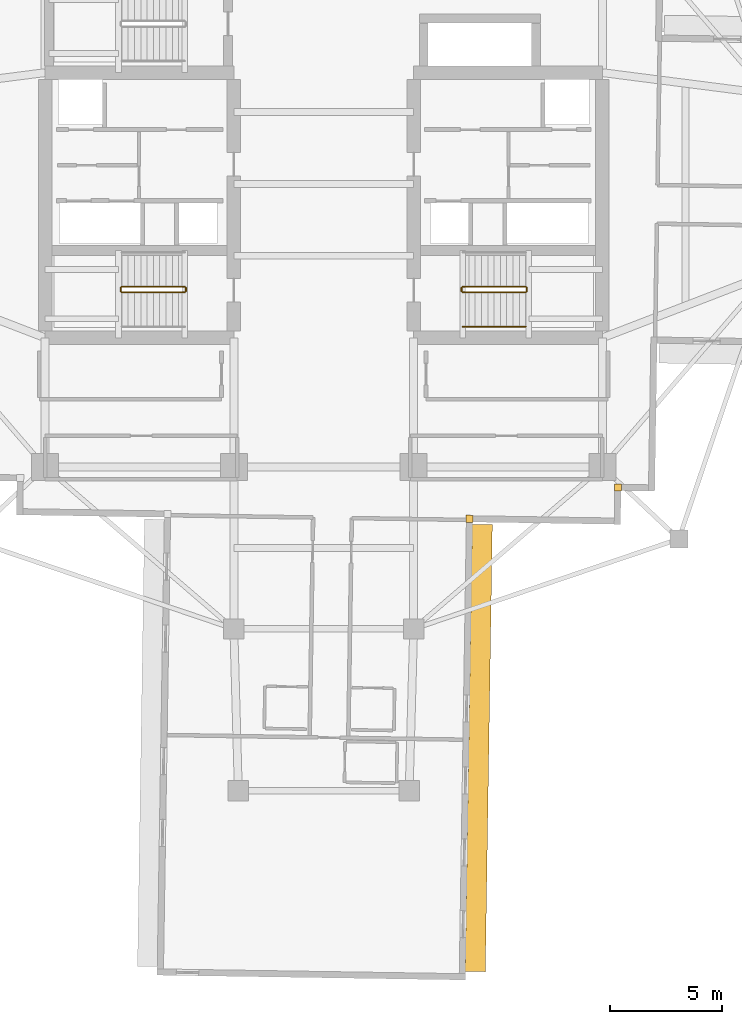
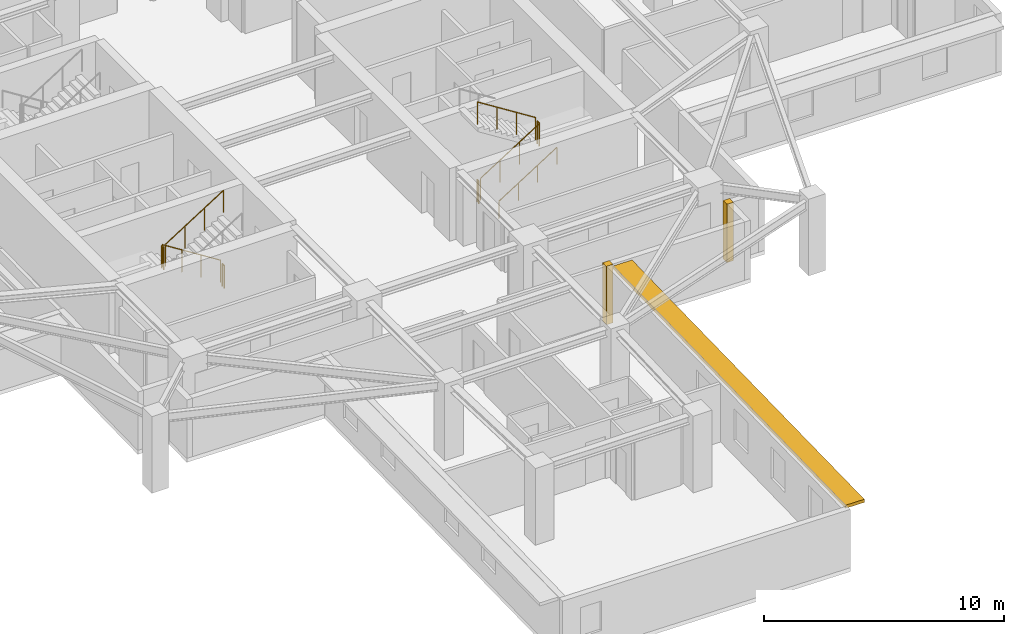
# One storey, part 10 of 13: 9 railings, 2 coverings, 1 shading device.
"""IFC4 building model written with IfcOpenShell, lengths in metres."""

from ifc_helpers import new_model, si_unit, direction, frame, origin, origin_2d, place, context, subcontext, project, spatial, rectangle, circle, extrude, material, layer, layer_set, type_object, element, save


model = new_model("IFC4")

# Units and contexts
model_context = context("Model", 3, precision=1e-05, world=origin(), true_north=direction((0.0, 1.0)))
body_context = subcontext(model_context, "Body", "Model", "MODEL_VIEW")
ifc_project = project(units=[si_unit("LENGTHUNIT", "METRE"), si_unit("AREAUNIT", "SQUARE_METRE"), si_unit("VOLUMEUNIT", "CUBIC_METRE"), si_unit("PLANEANGLEUNIT", "RADIAN"), si_unit("MASSUNIT", "GRAM", prefix="KILO")], contexts=[model_context])

# Site, building, storey
site_placement = place(None, origin())
site = spatial("IfcSite", under=ifc_project, at=site_placement, CompositionType="ELEMENT")
building_placement = place(site_placement, origin())
building = spatial("IfcBuilding", under=site, at=building_placement, Name="Qingluan Cross Belvedere", CompositionType="ELEMENT")
storey_placement = place(building_placement, frame((0.0, 0.0, 180.0)))
storey = spatial("IfcBuildingStorey", under=building, at=storey_placement, Name="L45", CompositionType="ELEMENT", Elevation=180.0)

# Coverings
ifc_material_1 = material(Name="Precast concrete C45", Category="concrete")
ifc_layer_1 = layer(ifc_material_1, 0.1201171875, Name="ConcreteSpandrelCladding_120")
ifc_layer_set_1 = layer_set([ifc_layer_1], Name="Precast concrete C45")
covering_type = type_object("IfcCoveringType", Name="ConcreteSpandrelCladding_120", PredefinedType="CLADDING", material=ifc_layer_set_1)
for number, where, z_axis, x_axis, name in (
    (1, (13.089599609375, -13.50732421875, 0.0), (0.0, 0.0, 1.0), (0.999876632482, -0.015707317312, 0.0), "Corner closure L45-SE1"),
    (2, (6.48681640625, -14.90380859375, 0.0), (0.0, 0.0, 1.0), (0.999876632482, -0.015707317312, 0.0), "Corner closure L45-SE2"),
):
    element("IfcCovering", number, at=place(storey_placement, frame(where, z_axis=z_axis, x_axis=x_axis)), inside=storey, type_object=covering_type, Name=name, PredefinedType="CLADDING", context=body_context, shape_type="SweptSolid", body=[
        extrude(rectangle(XDim=0.320068359375, YDim=0.320068359375, at=origin_2d()), origin(), (0.0, 0.0, 1.0), 2.969970703125),
    ])

# Shading device
ifc_material_2 = material(Name="Precast concrete C45", Category="concrete")
ifc_layer_2 = layer(ifc_material_2, 0.159912109375, Name="ConcreteSunshadeBand_900")
ifc_layer_set_2 = layer_set([ifc_layer_2], Name="Precast concrete C45")
shading_device_type = type_object("IfcShadingDeviceType", Name="ConcreteSunshadeBand_900", PredefinedType="USERDEFINED", material=ifc_layer_set_2)
shading_device_placement = place(storey_placement, frame((6.896484375, -25.101318359375, 2.7900390625), z_axis=(0.0, 0.0, 1.0), x_axis=(0.015706483741, 0.999876645576, 0.0)))
element("IfcShadingDevice", 3, at=shading_device_placement, inside=storey, type_object=shading_device_type, Name="Concrete SUNSHADE L45-SB", ObjectType="SUNSHADE", PredefinedType="USERDEFINED", context=body_context, shape_type="SweptSolid", body=[
    extrude(rectangle(XDim=19.89990234375, YDim=0.89990234375, at=origin_2d()), origin(), (0.0, 0.0, 1.0), 0.159912109375),
])

# Railings
ifc_material_3 = material(Name="Brushed stainless steel tubular handrail", Category="steel")
railing_type_1 = type_object("IfcRailingType", Name="StairPitchHandrail_900", PredefinedType="HANDRAIL", material=ifc_material_3)
railing_1_placement = place(storey_placement, frame((6.179931640625, -6.35009765625, 0.17724609375)))
element("IfcRailing", 4, at=railing_1_placement, inside=storey, type_object=railing_type_1, Name="L45 ST2 stair handrail 1", PredefinedType="HANDRAIL", context=body_context, shape_type="SweptSolid", body=[
    extrude(circle(Radius=0.02392578125, at=origin_2d()), frame((0.0, 0.0, 0.8759765625), z_axis=(0.844908973607, 0.0, 0.534910110503), x_axis=(0.0, 1.0, 0.0)), (0.0, 0.0, 1.0), 3.31396484375),
    extrude(circle(Radius=0.02099609375, at=origin_2d()), origin(), (0.0, 0.0, 1.0), 0.851806640625),
    extrude(circle(Radius=0.02099609375, at=origin_2d()), frame((0.933349609375, 0.0, 0.5908203125)), (0.0, 0.0, 1.0), 0.851806640625),
    extrude(circle(Radius=0.02099609375, at=origin_2d()), frame((1.86669921875, 0.0, 1.181884765625)), (0.0, 0.0, 1.0), 0.851806640625),
    extrude(circle(Radius=0.02099609375, at=origin_2d()), frame((2.800048828125, 0.0, 1.772705078125)), (0.0, 0.0, 1.0), 0.851806640625),
])
ifc_material_4 = material(Name="Painted steel stair well guard", Category="steel")
railing_type_2 = type_object("IfcRailingType", Name="StairWellGuard_1150", PredefinedType="BALUSTRADE", material=ifc_material_4)
railing_2_placement = place(storey_placement, frame((-6.179931640625, -4.570068359375, 0.17724609375)))
element("IfcRailing", 5, at=railing_2_placement, inside=storey, type_object=railing_type_2, Name="L45 ST1 stair guard 1", PredefinedType="BALUSTRADE", context=body_context, shape_type="SweptSolid", body=[
    extrude(circle(Radius=0.02392578125, at=origin_2d()), frame((0.0, 0.0, 1.1259765625), z_axis=(-0.844908973607, 0.0, 0.534910110503), x_axis=(0.0, -1.0, 0.0)), (0.0, 0.0, 1.0), 3.31396484375),
    extrude(circle(Radius=0.02099609375, at=origin_2d()), origin(), (0.0, 0.0, 1.0), 1.101806640625),
    extrude(circle(Radius=0.02099609375, at=origin_2d()), frame((-0.933349609375, 0.0, 0.5908203125)), (0.0, 0.0, 1.0), 1.101806640625),
    extrude(circle(Radius=0.02099609375, at=origin_2d()), frame((-1.86669921875, 0.0, 1.181884765625)), (0.0, 0.0, 1.0), 1.101806640625),
    extrude(circle(Radius=0.02099609375, at=origin_2d()), frame((-2.800048828125, 0.0, 1.772705078125)), (0.0, 0.0, 1.0), 1.101806640625),
])
railing_3_placement = place(storey_placement, frame((-9.030029296875, -4.6201171875, 1.949951171875)))
element("IfcRailing", 6, at=railing_3_placement, inside=storey, type_object=railing_type_2, Name="L45 ST1 stair guard 2", PredefinedType="BALUSTRADE", context=body_context, shape_type="SweptSolid", body=[
    extrude(circle(Radius=0.02392578125, at=origin_2d()), frame((0.0, 0.0, 1.1259765625), z_axis=(0.0, -1.0, 0.0), x_axis=(1.0, 0.0, 0.0)), (0.0, 0.0, 1.0), 0.159912109375),
    extrude(circle(Radius=0.02099609375, at=origin_2d()), origin(), (0.0, 0.0, 1.0), 1.101806640625),
    extrude(circle(Radius=0.02099609375, at=origin_2d()), frame((0.0, -0.159912109375, 0.0)), (0.0, 0.0, 1.0), 1.101806640625),
])
railing_4_placement = place(storey_placement, frame((-8.97998046875, -4.830078125, 2.127197265625)))
element("IfcRailing", 7, at=railing_4_placement, inside=storey, type_object=railing_type_2, Name="L45 ST1 stair guard 3", PredefinedType="BALUSTRADE", context=body_context, shape_type="SweptSolid", body=[
    extrude(circle(Radius=0.02392578125, at=origin_2d()), frame((0.0, 0.0, 1.1259765625), z_axis=(0.844908973607, 0.0, 0.534910110503), x_axis=(0.0, 1.0, 0.0)), (0.0, 0.0, 1.0), 3.31396484375),
    extrude(circle(Radius=0.02099609375, at=origin_2d()), origin(), (0.0, 0.0, 1.0), 1.101806640625),
    extrude(circle(Radius=0.02099609375, at=origin_2d()), frame((0.933349609375, 0.0, 0.5908203125)), (0.0, 0.0, 1.0), 1.101806640625),
    extrude(circle(Radius=0.02099609375, at=origin_2d()), frame((1.86669921875, 0.0, 1.181884765625)), (0.0, 0.0, 1.0), 1.101806640625),
    extrude(circle(Radius=0.02099609375, at=origin_2d()), frame((2.800048828125, 0.0, 1.772705078125)), (0.0, 0.0, 1.0), 1.101806640625),
])
railing_5_placement = place(storey_placement, frame((-6.1298828125, -4.6201171875, 0.0)))
element("IfcRailing", 8, at=railing_5_placement, inside=storey, type_object=railing_type_2, Name="L45 ST1 stair guard 4", PredefinedType="BALUSTRADE", context=body_context, shape_type="SweptSolid", body=[
    extrude(circle(Radius=0.02392578125, at=origin_2d()), frame((0.0, 0.0, 1.1259765625), z_axis=(0.0, -1.0, 0.0), x_axis=(1.0, 0.0, 0.0)), (0.0, 0.0, 1.0), 0.159912109375),
    extrude(circle(Radius=0.02099609375, at=origin_2d()), origin(), (0.0, 0.0, 1.0), 1.101806640625),
    extrude(circle(Radius=0.02099609375, at=origin_2d()), frame((0.0, -0.159912109375, 0.0)), (0.0, 0.0, 1.0), 1.101806640625),
])
railing_6_placement = place(storey_placement, frame((6.179931640625, -4.830078125, 0.17724609375)))
element("IfcRailing", 9, at=railing_6_placement, inside=storey, type_object=railing_type_2, Name="L45 ST2 stair guard 1", PredefinedType="BALUSTRADE", context=body_context, shape_type="SweptSolid", body=[
    extrude(circle(Radius=0.02392578125, at=origin_2d()), frame((0.0, 0.0, 1.1259765625), z_axis=(0.844908973607, 0.0, 0.534910110503), x_axis=(0.0, 1.0, 0.0)), (0.0, 0.0, 1.0), 3.31396484375),
    extrude(circle(Radius=0.02099609375, at=origin_2d()), origin(), (0.0, 0.0, 1.0), 1.101806640625),
    extrude(circle(Radius=0.02099609375, at=origin_2d()), frame((0.933349609375, 0.0, 0.5908203125)), (0.0, 0.0, 1.0), 1.101806640625),
    extrude(circle(Radius=0.02099609375, at=origin_2d()), frame((1.86669921875, 0.0, 1.181884765625)), (0.0, 0.0, 1.0), 1.101806640625),
    extrude(circle(Radius=0.02099609375, at=origin_2d()), frame((2.800048828125, 0.0, 1.772705078125)), (0.0, 0.0, 1.0), 1.101806640625),
])
railing_7_placement = place(storey_placement, frame((9.030029296875, -4.780029296875, 1.949951171875)))
element("IfcRailing", 10, at=railing_7_placement, inside=storey, type_object=railing_type_2, Name="L45 ST2 stair guard 2", PredefinedType="BALUSTRADE", context=body_context, shape_type="SweptSolid", body=[
    extrude(circle(Radius=0.02392578125, at=origin_2d()), frame((0.0, 0.0, 1.1259765625), z_axis=(0.0, 1.0, 0.0), x_axis=(-1.0, 0.0, 0.0)), (0.0, 0.0, 1.0), 0.159912109375),
    extrude(circle(Radius=0.02099609375, at=origin_2d()), origin(), (0.0, 0.0, 1.0), 1.101806640625),
    extrude(circle(Radius=0.02099609375, at=origin_2d()), frame((0.0, 0.159912109375, 0.0)), (0.0, 0.0, 1.0), 1.101806640625),
])
railing_8_placement = place(storey_placement, frame((8.97998046875, -4.570068359375, 2.127197265625)))
element("IfcRailing", 11, at=railing_8_placement, inside=storey, type_object=railing_type_2, Name="L45 ST2 stair guard 3", PredefinedType="BALUSTRADE", context=body_context, shape_type="SweptSolid", body=[
    extrude(circle(Radius=0.02392578125, at=origin_2d()), frame((0.0, 0.0, 1.1259765625), z_axis=(-0.844908973607, 0.0, 0.534910110503), x_axis=(0.0, -1.0, 0.0)), (0.0, 0.0, 1.0), 3.31396484375),
    extrude(circle(Radius=0.02099609375, at=origin_2d()), origin(), (0.0, 0.0, 1.0), 1.101806640625),
    extrude(circle(Radius=0.02099609375, at=origin_2d()), frame((-0.933349609375, 0.0, 0.5908203125)), (0.0, 0.0, 1.0), 1.101806640625),
    extrude(circle(Radius=0.02099609375, at=origin_2d()), frame((-1.86669921875, 0.0, 1.181884765625)), (0.0, 0.0, 1.0), 1.101806640625),
    extrude(circle(Radius=0.02099609375, at=origin_2d()), frame((-2.800048828125, 0.0, 1.772705078125)), (0.0, 0.0, 1.0), 1.101806640625),
])
railing_9_placement = place(storey_placement, frame((6.1298828125, -4.780029296875, 0.0)))
element("IfcRailing", 12, at=railing_9_placement, inside=storey, type_object=railing_type_2, Name="L45 ST2 stair guard 4", PredefinedType="BALUSTRADE", context=body_context, shape_type="SweptSolid", body=[
    extrude(circle(Radius=0.02392578125, at=origin_2d()), frame((0.0, 0.0, 1.1259765625), z_axis=(0.0, 1.0, 0.0), x_axis=(-1.0, 0.0, 0.0)), (0.0, 0.0, 1.0), 0.159912109375),
    extrude(circle(Radius=0.02099609375, at=origin_2d()), origin(), (0.0, 0.0, 1.0), 1.101806640625),
    extrude(circle(Radius=0.02099609375, at=origin_2d()), frame((0.0, 0.159912109375, 0.0)), (0.0, 0.0, 1.0), 1.101806640625),
])

save(model, "model.ifc")
